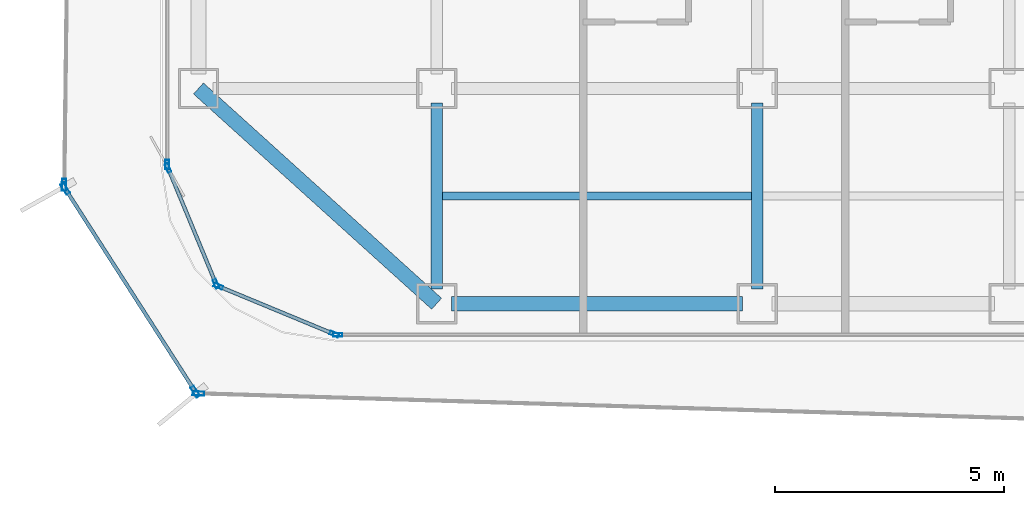
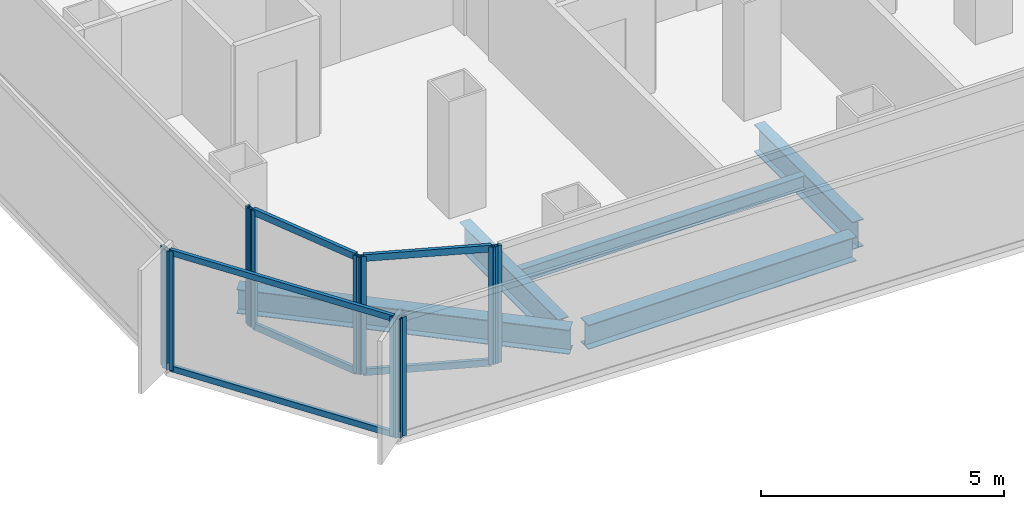
# One storey, part 2 of 21: 16 members, 5 beams, 7 elements without a shape of their own.
"""IFC4 building model written with IfcOpenShell, lengths in metres."""

from ifc_helpers import new_model, si_unit, direction, frame, origin, origin_2d, place, context, subcontext, project, spatial, hollow_rectangle, i_section, extrude, source, transform, mapped, material, layer, layer_set, material_profile, profile_set, type_object, element, aggregate, save


model = new_model("IFC4")

# Units and contexts
model_context = context("Model", 3, precision=1e-05, world=origin(), true_north=direction((0.0, 1.0)))
body_context = subcontext(model_context, "Body", "Model", "MODEL_VIEW")
ifc_project = project(units=[si_unit("LENGTHUNIT", "METRE"), si_unit("AREAUNIT", "SQUARE_METRE"), si_unit("VOLUMEUNIT", "CUBIC_METRE"), si_unit("PLANEANGLEUNIT", "RADIAN"), si_unit("MASSUNIT", "GRAM", prefix="KILO")], contexts=[model_context])

# Site, building, storey
site_placement = place(None, origin())
site = spatial("IfcSite", under=ifc_project, at=site_placement, CompositionType="ELEMENT")
building_placement = place(site_placement, origin())
building = spatial("IfcBuilding", under=site, at=building_placement, Name="Kolveth Station Tower", CompositionType="ELEMENT")
storey_placement = place(building_placement, frame((0.0, 0.0, 99.10009765625)))
storey = spatial("IfcBuildingStorey", under=building, at=storey_placement, Name="L26", CompositionType="ELEMENT", Elevation=99.10009765625)

# Beams
ifc_material_1 = material(Name="Steel S355", Category="steel")
ifc_material_profile_1 = material_profile(ifc_material_1, i_section(OverallWidth=0.323974609375, OverallDepth=0.611083984375, WebThickness=0.0126953125, FlangeThickness=0.01904296875, at=origin_2d()), Name="W610x155")
ifc_profile_set_1 = profile_set([ifc_material_profile_1], Name="Steel S355")
beam_type_1 = type_object("IfcBeamType", Name="Beam_SP2", PredefinedType="SPANDREL", material=ifc_profile_set_1)
shared_shape_1 = source(origin(), body_context, "Body", "SweptSolid", [
    extrude(i_section(OverallWidth=0.323974609375, OverallDepth=0.611083984375, WebThickness=0.0126953125, FlangeThickness=0.01904296875, at=origin_2d()), origin(), (0.0, 0.0, 1.0), 6.35986328125),
])
beam_1_placement = place(storey_placement, frame((6.320068359375, 0.800048828125, -0.5556640625), z_axis=(1.0, 0.0, 0.0), x_axis=(0.0, 1.0, 0.0)))
element("IfcBeam", 1, at=beam_1_placement, inside=storey, type_object=beam_type_1, Name="L26 Perimeter Spandrel BM-L26-PS-1", PredefinedType="SPANDREL", context=body_context, shape_type="MappedRepresentation", body=[
    mapped(shared_shape_1, transform((0.0, 0.0, 0.0), x_axis=(1.0, 0.0, 0.0), y_axis=(0.0, 1.0, 0.0), z_axis=(0.0, 0.0, 1.0), scale=1.0)),
])
shared_shape_2 = source(origin(), body_context, "Body", "SweptSolid", [
    extrude(i_section(OverallWidth=0.323974609375, OverallDepth=0.611083984375, WebThickness=0.0126953125, FlangeThickness=0.01904296875, at=origin_2d()), origin(), (0.0, 0.0, 1.0), 7.00927734375),
])
beam_2_placement = place(storey_placement, frame((0.800048828125, 5.5, -0.5556640625), z_axis=(0.741874009795, -0.670539300557, 0.0), x_axis=(0.670539300557, 0.741874009795, 0.0)))
element("IfcBeam", 2, at=beam_2_placement, inside=storey, type_object=beam_type_1, Name="L26 Corner Edge Girder BM-L26-CNR-SW", PredefinedType="SPANDREL", context=body_context, shape_type="MappedRepresentation", body=[
    mapped(shared_shape_2, transform((0.0, 0.0, 0.0), x_axis=(1.0, 0.0, 0.0), y_axis=(0.0, 1.0, 0.0), z_axis=(0.0, 0.0, 1.0), scale=1.0)),
])
ifc_material_profile_2 = material_profile(ifc_material_1, i_section(OverallWidth=0.25390625, OverallDepth=0.68798828125, WebThickness=0.01318359375, FlangeThickness=0.02099609375, at=origin_2d()), Name="W690x152")
ifc_profile_set_2 = profile_set([ifc_material_profile_2], Name="Steel S355")
beam_type_2 = type_object("IfcBeamType", Name="Beam_B4", PredefinedType="BEAM", material=ifc_profile_set_2)
shared_shape_3 = source(origin(), body_context, "Body", "SweptSolid", [
    extrude(i_section(OverallWidth=0.25390625, OverallDepth=0.68798828125, WebThickness=0.01318359375, FlangeThickness=0.02099609375, at=origin_2d()), origin(), (0.0, 0.0, 1.0), 4.059814453125),
])
for number, where, z_axis, x_axis, name in (
    (3, (6.0, 1.1201171875, -0.593994140625), (0.0, 1.0, 0.0), (-1.0, 0.0, 0.0), "L26 Primary Girder BM-L26-GX60-1"),
    (4, (13.0, 1.1201171875, -0.593994140625), (0.0, 1.0, 0.0), (-1.0, 0.0, 0.0), "L26 Primary Girder BM-L26-GX130-1"),
):
    element("IfcBeam", number, at=place(storey_placement, frame(where, z_axis=z_axis, x_axis=x_axis)), inside=storey, type_object=beam_type_2, Name=name, PredefinedType="BEAM", context=body_context, shape_type="MappedRepresentation", body=[
        mapped(shared_shape_3, transform((0.0, 0.0, 0.0), x_axis=(1.0, 0.0, 0.0), y_axis=(0.0, 1.0, 0.0), z_axis=(0.0, 0.0, 1.0), scale=1.0)),
    ])
ifc_material_profile_3 = material_profile(ifc_material_1, i_section(OverallWidth=0.1708984375, OverallDepth=0.35205078125, WebThickness=0.0068359375, FlangeThickness=0.009765625, at=origin_2d()), Name="W360x44")
ifc_profile_set_3 = profile_set([ifc_material_profile_3], Name="Steel S355")
beam_type_3 = type_object("IfcBeamType", Name="Beam_J2", PredefinedType="JOIST", material=ifc_profile_set_3)
shared_shape_4 = source(origin(), body_context, "Body", "SweptSolid", [
    extrude(i_section(OverallWidth=0.1708984375, OverallDepth=0.35205078125, WebThickness=0.0068359375, FlangeThickness=0.009765625, at=origin_2d()), origin(), (0.0, 0.0, 1.0), 6.75),
])
beam_3_placement = place(storey_placement, frame((6.125, 3.14990234375, -0.426025390625), z_axis=(1.0, 0.0, 0.0), x_axis=(0.0, 1.0, 0.0)))
element("IfcBeam", 5, at=beam_3_placement, inside=storey, type_object=beam_type_3, Name="L26 Secondary Joist JST-L26-2-1", PredefinedType="JOIST", context=body_context, shape_type="MappedRepresentation", body=[
    mapped(shared_shape_4, transform((0.0, 0.0, 0.0), x_axis=(1.0, 0.0, 0.0), y_axis=(0.0, 1.0, 0.0), z_axis=(0.0, 0.0, 1.0), scale=1.0)),
])

# Curtain wall, member
ifc_material_2 = material(Name="Aluminium 6063-T6 and low-E dark glass", Category="aluminium")
ifc_layer_1 = layer(ifc_material_2, 0.18994140625)
ifc_layer_set_1 = layer_set([ifc_layer_1], Name="Aluminium 6063-T6 and low-E dark glass")
curtain_wall_type_1 = type_object("IfcCurtainWallType", Name="CurtainWall_CW-Z2", PredefinedType="NOTDEFINED", material=ifc_layer_set_1)
curtain_wall_1_placement = place(storey_placement, origin())
curtain_wall_1 = element("IfcCurtainWall", 6, at=curtain_wall_1_placement, inside=storey, type_object=curtain_wall_type_1, Name="L26 Inner Thermal Curtain Wall 9", PredefinedType="NOTDEFINED")
ifc_material_3 = material(Name="Black anodized aluminium 6063-T6", Category="aluminium")
ifc_material_profile_4 = material_profile(ifc_material_3, hollow_rectangle(XDim=0.080078125, YDim=0.199951171875, WallThickness=0.0048828125, at=origin_2d()), Name="ALU-80x200x5")
ifc_profile_set_4 = profile_set([ifc_material_profile_4], Name="Black anodized aluminium 6063-T6")
member_type_1 = type_object("IfcMemberType", Name="Mullion_ML2", PredefinedType="MULLION", material=ifc_profile_set_4)
shared_shape_5 = source(origin(), body_context, "Body", "SweptSolid", [
    extrude(hollow_rectangle(XDim=0.080078125, YDim=0.199951171875, WallThickness=0.0048828125, at=origin_2d()), origin(), (0.0, 0.0, 1.0), 2.949951171875),
])
member_1_placement = place(storey_placement, frame((0.1201171875, 3.840087890625, 0.0), z_axis=(0.0, 0.0, 1.0), x_axis=(1.0, 0.0, 0.0)))
member_1 = element("IfcMember", 7, at=member_1_placement, type_object=member_type_1, Name="CW-Z2 mullion 2", PredefinedType="MULLION", context=body_context, shape_type="MappedRepresentation", body=[
    mapped(shared_shape_5, transform((0.0, 0.0, 0.0), x_axis=(1.0, 0.0, 0.0), y_axis=(0.0, 1.0, 0.0), z_axis=(0.0, 0.0, 1.0), scale=1.0)),
])
aggregate(curtain_wall_1, [member_1])

# Curtain wall, members
curtain_wall_2_placement = place(storey_placement, origin())
curtain_wall_2 = element("IfcCurtainWall", 8, at=curtain_wall_2_placement, inside=storey, type_object=curtain_wall_type_1, Name="L26 Inner Thermal Curtain Wall 10", PredefinedType="NOTDEFINED")
member_2_placement = place(storey_placement, frame((0.13525390625, 3.762939453125, 0.0), z_axis=(0.0, 0.0, 1.0), x_axis=(0.923887883787, 0.38266326998, 0.0)))
member_2 = element("IfcMember", 9, at=member_2_placement, type_object=member_type_1, Name="CW-Z2 mullion 1", PredefinedType="MULLION", context=body_context, shape_type="MappedRepresentation", body=[
    mapped(shared_shape_5, transform((0.0, 0.0, 0.0), x_axis=(1.0, 0.0, 0.0), y_axis=(0.0, 1.0, 0.0), z_axis=(0.0, 0.0, 1.0), scale=1.0)),
])
member_3_placement = place(storey_placement, frame((1.182373046875, 1.23486328125, 0.0), z_axis=(0.0, 0.0, 1.0), x_axis=(0.923887883787, 0.38266326998, 0.0)))
member_3 = element("IfcMember", 10, at=member_3_placement, type_object=member_type_1, Name="CW-Z2 mullion 2", PredefinedType="MULLION", context=body_context, shape_type="MappedRepresentation", body=[
    mapped(shared_shape_5, transform((0.0, 0.0, 0.0), x_axis=(1.0, 0.0, 0.0), y_axis=(0.0, 1.0, 0.0), z_axis=(0.0, 0.0, 1.0), scale=1.0)),
])

curtain_wall_3_placement = place(storey_placement, origin())
curtain_wall_3 = element("IfcCurtainWall", 11, at=curtain_wall_3_placement, inside=storey, type_object=curtain_wall_type_1, Name="L26 Inner Thermal Curtain Wall 11", PredefinedType="NOTDEFINED")
member_4_placement = place(storey_placement, frame((1.23486328125, 1.182373046875, 0.0), z_axis=(0.0, 0.0, 1.0), x_axis=(0.38266326998, 0.923887883787, 0.0)))
member_4 = element("IfcMember", 12, at=member_4_placement, type_object=member_type_1, Name="CW-Z2 mullion 1", PredefinedType="MULLION", context=body_context, shape_type="MappedRepresentation", body=[
    mapped(shared_shape_5, transform((0.0, 0.0, 0.0), x_axis=(1.0, 0.0, 0.0), y_axis=(0.0, 1.0, 0.0), z_axis=(0.0, 0.0, 1.0), scale=1.0)),
])
member_5_placement = place(storey_placement, frame((3.762939453125, 0.13525390625, 0.0), z_axis=(0.0, 0.0, 1.0), x_axis=(0.38266326998, 0.923887883787, 0.0)))
member_5 = element("IfcMember", 13, at=member_5_placement, type_object=member_type_1, Name="CW-Z2 mullion 2", PredefinedType="MULLION", context=body_context, shape_type="MappedRepresentation", body=[
    mapped(shared_shape_5, transform((0.0, 0.0, 0.0), x_axis=(1.0, 0.0, 0.0), y_axis=(0.0, 1.0, 0.0), z_axis=(0.0, 0.0, 1.0), scale=1.0)),
])

# Curtain wall, member
curtain_wall_4_placement = place(storey_placement, origin())
curtain_wall_4 = element("IfcCurtainWall", 14, at=curtain_wall_4_placement, inside=storey, type_object=curtain_wall_type_1, Name="L26 Inner Thermal Curtain Wall 12", PredefinedType="NOTDEFINED")
member_6_placement = place(storey_placement, frame((3.840087890625, 0.1201171875, 0.0), z_axis=(0.0, 0.0, 1.0), x_axis=(0.0, 1.0, 0.0)))
member_6 = element("IfcMember", 15, at=member_6_placement, type_object=member_type_1, Name="CW-Z2 mullion 1", PredefinedType="MULLION", context=body_context, shape_type="MappedRepresentation", body=[
    mapped(shared_shape_5, transform((0.0, 0.0, 0.0), x_axis=(1.0, 0.0, 0.0), y_axis=(0.0, 1.0, 0.0), z_axis=(0.0, 0.0, 1.0), scale=1.0)),
])
aggregate(curtain_wall_4, [member_6])

# Member
ifc_material_profile_5 = material_profile(ifc_material_3, hollow_rectangle(XDim=0.080078125, YDim=0.169921875, WallThickness=0.0048828125, at=origin_2d()), Name="ALU-80x170x5")
ifc_profile_set_5 = profile_set([ifc_material_profile_5], Name="Black anodized aluminium 6063-T6")
member_type_2 = type_object("IfcMemberType", Name="Transom_TR2", PredefinedType="USERDEFINED", material=ifc_profile_set_5)
shared_shape_6 = source(origin(), body_context, "Body", "SweptSolid", [
    extrude(hollow_rectangle(XDim=0.080078125, YDim=0.169921875, WallThickness=0.0048828125, at=origin_2d()), origin(), (0.0, 0.0, 1.0), 2.656494140625),
])
member_7_placement = place(storey_placement, frame((0.150634765625, 3.72607421875, 0.039794921875), z_axis=(0.382676455475, -0.923882422403, 0.0), x_axis=(0.923882422403, 0.382676455475, 0.0)))
member_7 = element("IfcMember", 16, at=member_7_placement, type_object=member_type_2, Name="CW-Z2 transom 1.1", ObjectType="TRANSOM", PredefinedType="USERDEFINED", context=body_context, shape_type="MappedRepresentation", body=[
    mapped(shared_shape_6, transform((0.0, 0.0, 0.0), x_axis=(1.0, 0.0, 0.0), y_axis=(0.0, 1.0, 0.0), z_axis=(0.0, 0.0, 1.0), scale=1.0)),
])

member_8_placement = place(storey_placement, frame((0.150634765625, 3.72607421875, 2.909912109375), z_axis=(0.382676455475, -0.923882422403, 0.0), x_axis=(0.923882422403, 0.382676455475, 0.0)))
member_8 = element("IfcMember", 17, at=member_8_placement, type_object=member_type_2, Name="CW-Z2 transom 1.2", ObjectType="TRANSOM", PredefinedType="USERDEFINED", context=body_context, shape_type="MappedRepresentation", body=[
    mapped(shared_shape_6, transform((0.0, 0.0, 0.0), x_axis=(1.0, 0.0, 0.0), y_axis=(0.0, 1.0, 0.0), z_axis=(0.0, 0.0, 1.0), scale=1.0)),
])

aggregate(curtain_wall_2, [member_2, member_3, member_7, member_8])

member_9_placement = place(storey_placement, frame((1.271728515625, 1.167236328125, 0.039794921875), z_axis=(0.923882422403, -0.382676455475, 0.0), x_axis=(0.382676455475, 0.923882422403, 0.0)))
member_9 = element("IfcMember", 18, at=member_9_placement, type_object=member_type_2, Name="CW-Z2 transom 1.1", ObjectType="TRANSOM", PredefinedType="USERDEFINED", context=body_context, shape_type="MappedRepresentation", body=[
    mapped(shared_shape_6, transform((0.0, 0.0, 0.0), x_axis=(1.0, 0.0, 0.0), y_axis=(0.0, 1.0, 0.0), z_axis=(0.0, 0.0, 1.0), scale=1.0)),
])

member_10_placement = place(storey_placement, frame((1.271728515625, 1.167236328125, 2.909912109375), z_axis=(0.923882422403, -0.382676455475, 0.0), x_axis=(0.382676455475, 0.923882422403, 0.0)))
member_10 = element("IfcMember", 19, at=member_10_placement, type_object=member_type_2, Name="CW-Z2 transom 1.2", ObjectType="TRANSOM", PredefinedType="USERDEFINED", context=body_context, shape_type="MappedRepresentation", body=[
    mapped(shared_shape_6, transform((0.0, 0.0, 0.0), x_axis=(1.0, 0.0, 0.0), y_axis=(0.0, 1.0, 0.0), z_axis=(0.0, 0.0, 1.0), scale=1.0)),
])

aggregate(curtain_wall_3, [member_4, member_5, member_9, member_10])

# Curtain wall, member
ifc_material_4 = material(Name="Black anodized aluminium 6063-T6 and dark solar glass", Category="aluminium")
ifc_layer_2 = layer(ifc_material_4, 0.159912109375)
ifc_layer_set_2 = layer_set([ifc_layer_2], Name="Black anodized aluminium 6063-T6 and dark solar glass")
curtain_wall_type_2 = type_object("IfcCurtainWallType", Name="OUTER SKIN CW-OS", PredefinedType="NOTDEFINED", material=ifc_layer_set_2)
curtain_wall_5_placement = place(storey_placement, origin())
curtain_wall_5 = element("IfcCurtainWall", 20, at=curtain_wall_5_placement, inside=storey, type_object=curtain_wall_type_2, Name="L26 Outer Ventilated Skin Curtain Wall 6", PredefinedType="NOTDEFINED")
ifc_material_profile_6 = material_profile(ifc_material_3, hollow_rectangle(XDim=0.090087890625, YDim=0.260009765625, WallThickness=0.0048828125, at=origin_2d()), Name="ALU-90x260x5")
ifc_profile_set_6 = profile_set([ifc_material_profile_6], Name="Black anodized aluminium 6063-T6")
member_type_3 = type_object("IfcMemberType", Name="FIN MULLION ML-OS", PredefinedType="MULLION", material=ifc_profile_set_6)
shared_shape_7 = source(origin(), body_context, "Body", "SweptSolid", [
    extrude(hollow_rectangle(XDim=0.090087890625, YDim=0.260009765625, WallThickness=0.0048828125, at=origin_2d()), origin(), (0.0, 0.0, 1.0), 2.989990234375),
])
member_11_placement = place(storey_placement, frame((-2.1357421875, 3.396240234375, 0.0), z_axis=(0.0, 0.0, 1.0), x_axis=(0.999922616527, -0.012440295721, 0.0)))
member_11 = element("IfcMember", 21, at=member_11_placement, type_object=member_type_3, Name="CW-OS mullion 2", PredefinedType="MULLION", context=body_context, shape_type="MappedRepresentation", body=[
    mapped(shared_shape_7, transform((0.0, 0.0, 0.0), x_axis=(1.0, 0.0, 0.0), y_axis=(0.0, 1.0, 0.0), z_axis=(0.0, 0.0, 1.0), scale=1.0)),
])
aggregate(curtain_wall_5, [member_11])

# Curtain wall, members
curtain_wall_6_placement = place(storey_placement, origin())
curtain_wall_6 = element("IfcCurtainWall", 22, at=curtain_wall_6_placement, inside=storey, type_object=curtain_wall_type_2, Name="L26 Outer Ventilated Skin Curtain Wall 7", PredefinedType="NOTDEFINED")
member_12_placement = place(storey_placement, frame((-2.11181640625, 3.3134765625, 0.0), z_axis=(0.0, 0.0, 1.0), x_axis=(0.841879356378, 0.539665775554, 0.0)))
member_12 = element("IfcMember", 23, at=member_12_placement, type_object=member_type_3, Name="CW-OS mullion 1", PredefinedType="MULLION", context=body_context, shape_type="MappedRepresentation", body=[
    mapped(shared_shape_7, transform((0.0, 0.0, 0.0), x_axis=(1.0, 0.0, 0.0), y_axis=(0.0, 1.0, 0.0), z_axis=(0.0, 0.0, 1.0), scale=1.0)),
])
member_13_placement = place(storey_placement, frame((0.731201171875, -1.121826171875, 0.0), z_axis=(0.0, 0.0, 1.0), x_axis=(0.841879356378, 0.539665775554, 0.0)))
member_13 = element("IfcMember", 24, at=member_13_placement, type_object=member_type_3, Name="CW-OS mullion 2", PredefinedType="MULLION", context=body_context, shape_type="MappedRepresentation", body=[
    mapped(shared_shape_7, transform((0.0, 0.0, 0.0), x_axis=(1.0, 0.0, 0.0), y_axis=(0.0, 1.0, 0.0), z_axis=(0.0, 0.0, 1.0), scale=1.0)),
])

# Curtain wall, member
curtain_wall_7_placement = place(storey_placement, origin())
curtain_wall_7 = element("IfcCurtainWall", 25, at=curtain_wall_7_placement, inside=storey, type_object=curtain_wall_type_2, Name="L26 Outer Ventilated Skin Curtain Wall 8", PredefinedType="NOTDEFINED")
member_14_placement = place(storey_placement, frame((0.80029296875, -1.160888671875, 0.0), z_axis=(0.0, 0.0, 1.0), x_axis=(0.030347965801, 0.999539394407, 0.0)))
member_14 = element("IfcMember", 26, at=member_14_placement, type_object=member_type_3, Name="CW-OS mullion 1", PredefinedType="MULLION", context=body_context, shape_type="MappedRepresentation", body=[
    mapped(shared_shape_7, transform((0.0, 0.0, 0.0), x_axis=(1.0, 0.0, 0.0), y_axis=(0.0, 1.0, 0.0), z_axis=(0.0, 0.0, 1.0), scale=1.0)),
])
aggregate(curtain_wall_7, [member_14])

# Member
ifc_material_profile_7 = material_profile(ifc_material_3, hollow_rectangle(XDim=0.080078125, YDim=0.14990234375, WallThickness=0.0048828125, at=origin_2d()), Name="ALU-80x150x5")
ifc_profile_set_7 = profile_set([ifc_material_profile_7], Name="Black anodized aluminium 6063-T6")
member_type_4 = type_object("IfcMemberType", Name="Transom_TR-OS", PredefinedType="USERDEFINED", material=ifc_profile_set_7)
shared_shape_8 = source(origin(), body_context, "Body", "SweptSolid", [
    extrude(hollow_rectangle(XDim=0.080078125, YDim=0.14990234375, WallThickness=0.0048828125, at=origin_2d()), origin(), (0.0, 0.0, 1.0), 5.17822265625),
])
member_15_placement = place(storey_placement, frame((-2.087646484375, 3.275634765625, 0.039794921875), z_axis=(0.539660973642, -0.841882434505, 0.0), x_axis=(0.841882434505, 0.539660973642, 0.0)))
member_15 = element("IfcMember", 27, at=member_15_placement, type_object=member_type_4, Name="CW-OS transom 1.1", ObjectType="TRANSOM", PredefinedType="USERDEFINED", context=body_context, shape_type="MappedRepresentation", body=[
    mapped(shared_shape_8, transform((0.0, 0.0, 0.0), x_axis=(1.0, 0.0, 0.0), y_axis=(0.0, 1.0, 0.0), z_axis=(0.0, 0.0, 1.0), scale=1.0)),
])

member_16_placement = place(storey_placement, frame((-2.087646484375, 3.275634765625, 2.949951171875), z_axis=(0.539660973642, -0.841882434505, 0.0), x_axis=(0.841882434505, 0.539660973642, 0.0)))
member_16 = element("IfcMember", 28, at=member_16_placement, type_object=member_type_4, Name="CW-OS transom 1.2", ObjectType="TRANSOM", PredefinedType="USERDEFINED", context=body_context, shape_type="MappedRepresentation", body=[
    mapped(shared_shape_8, transform((0.0, 0.0, 0.0), x_axis=(1.0, 0.0, 0.0), y_axis=(0.0, 1.0, 0.0), z_axis=(0.0, 0.0, 1.0), scale=1.0)),
])

aggregate(curtain_wall_6, [member_12, member_13, member_15, member_16])

save(model, "model.ifc")
